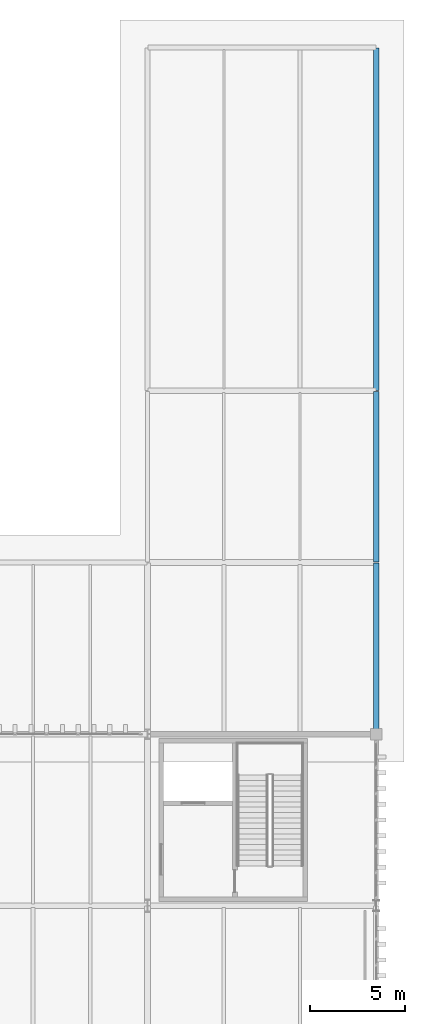
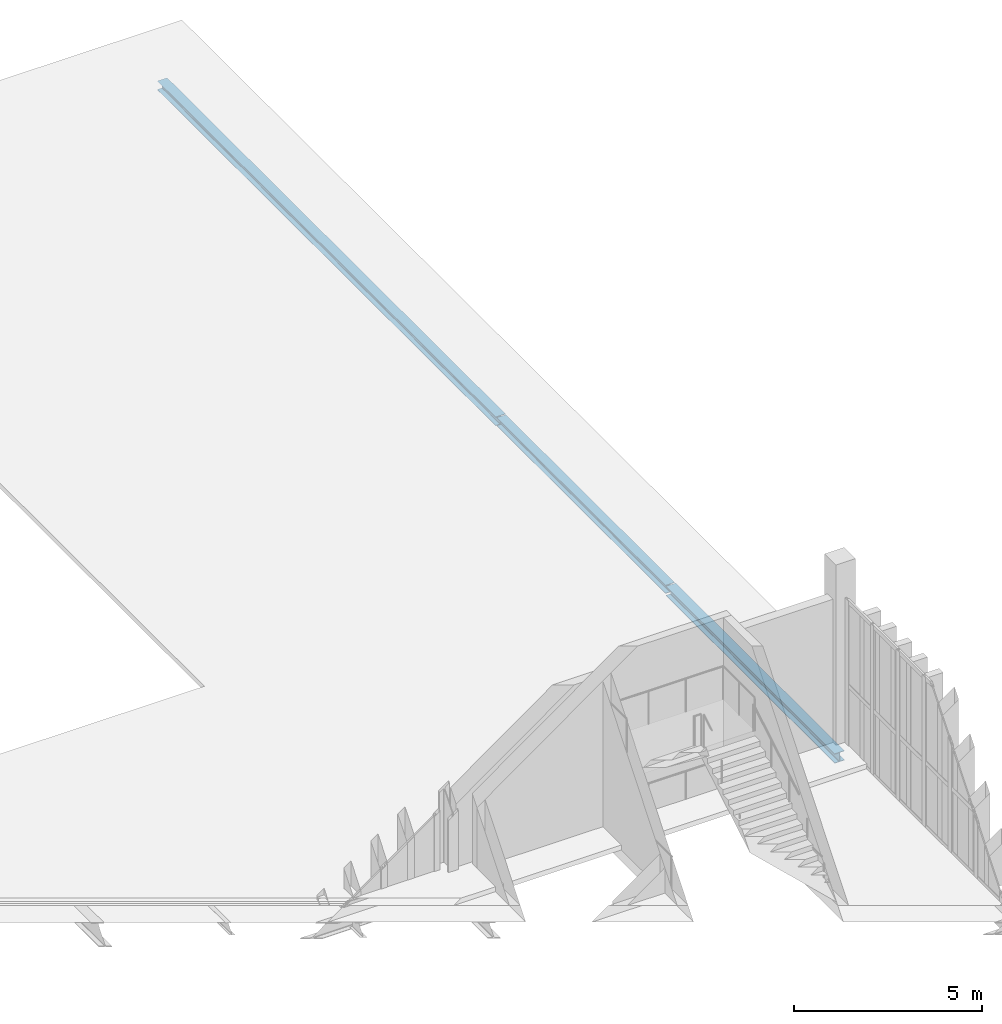
# One storey, part 165 of 237: 3 beams.
"""IFC4 building model written with IfcOpenShell, lengths in metres."""

from ifc_helpers import new_model, si_unit, direction, frame, origin, origin_2d, place, context, subcontext, project, spatial, i_section, extrude, material, material_profile, profile_set, type_object, element, save


model = new_model("IFC4")

# Units and contexts
model_context = context("Model", 3, precision=1e-05, world=origin(), true_north=direction((0.0, 1.0)))
body_context = subcontext(model_context, "Body", "Model", "MODEL_VIEW")
ifc_project = project(units=[si_unit("LENGTHUNIT", "METRE"), si_unit("AREAUNIT", "SQUARE_METRE"), si_unit("VOLUMEUNIT", "CUBIC_METRE"), si_unit("PLANEANGLEUNIT", "RADIAN"), si_unit("MASSUNIT", "GRAM", prefix="KILO")], contexts=[model_context])

# Site, building, storey
site_placement = place(None, origin())
site = spatial("IfcSite", under=ifc_project, at=site_placement, CompositionType="ELEMENT")
building_placement = place(site_placement, origin())
building = spatial("IfcBuilding", under=site, at=building_placement, Name="Barlavento Convention Centre", CompositionType="ELEMENT")
storey_placement = place(building_placement, frame((0.0, 0.0, 12.0)))
storey = spatial("IfcBuildingStorey", under=building, at=storey_placement, Name="L02", CompositionType="ELEMENT", Elevation=12.0)

# Beams
ifc_material = material(Name="Steel S355", Category="steel")
ifc_material_profile_1 = material_profile(ifc_material, i_section(OverallWidth=0.280029296875, OverallDepth=0.27001953125, WebThickness=0.008056640625, FlangeThickness=0.012939453125, FilletRadius=0.02392578125, at=origin_2d()), Name="HEA 280")
ifc_profile_set_1 = profile_set([ifc_material_profile_1], Name="Steel S355")
beam_type_1 = type_object("IfcBeamType", Name="STR-BM-SPN-HEA280", PredefinedType="SPANDREL", material=ifc_profile_set_1)
beam_1_placement = place(storey_placement, frame((192.0, 108.02001953125, -0.5), z_axis=(0.0, 1.0, 0.0), x_axis=(-1.0, 0.0, 0.0)))
element("IfcBeam", 1, at=beam_1_placement, inside=storey, type_object=beam_type_1, Name="L02 grid girder SP03", PredefinedType="SPANDREL", context=body_context, shape_type="SweptSolid", body=[
    extrude(i_section(OverallWidth=0.280029296875, OverallDepth=0.27001953125, WebThickness=0.008056640625, FlangeThickness=0.012939453125, FilletRadius=0.02392578125, at=origin_2d()), origin(), (0.0, 0.0, 1.0), 8.9599609375),
])
ifc_material_profile_2 = material_profile(ifc_material, i_section(OverallWidth=0.300048828125, OverallDepth=0.2900390625, WebThickness=0.008544921875, FlangeThickness=0.013916015625, FilletRadius=0.027099609375, at=origin_2d()), Name="HEA 300")
ifc_profile_set_2 = profile_set([ifc_material_profile_2], Name="Steel S355")
beam_type_2 = type_object("IfcBeamType", Name="STR-BM-SPN-HEA300", PredefinedType="SPANDREL", material=ifc_profile_set_2)
beam_2_placement = place(storey_placement, frame((192.0, 117.02001953125, -0.510009765625), z_axis=(0.0, 1.0, 0.0), x_axis=(-1.0, 0.0, 0.0)))
element("IfcBeam", 2, at=beam_2_placement, inside=storey, type_object=beam_type_2, Name="L02 grid girder SP02", PredefinedType="SPANDREL", context=body_context, shape_type="SweptSolid", body=[
    extrude(i_section(OverallWidth=0.300048828125, OverallDepth=0.2900390625, WebThickness=0.008544921875, FlangeThickness=0.013916015625, FilletRadius=0.027099609375, at=origin_2d()), origin(), (0.0, 0.0, 1.0), 17.9599609375),
])
ifc_material_profile_3 = material_profile(ifc_material, i_section(OverallWidth=0.300048828125, OverallDepth=0.31005859375, WebThickness=0.009033203125, FlangeThickness=0.015380859375, FilletRadius=0.027099609375, at=origin_2d()), Name="HEA 320")
ifc_profile_set_3 = profile_set([ifc_material_profile_3], Name="Steel S355")
beam_type_3 = type_object("IfcBeamType", Name="STR-BM-SPN-HEA320", PredefinedType="SPANDREL", material=ifc_profile_set_3)
beam_3_placement = place(storey_placement, frame((192.0, 99.02001953125, -0.52001953125), z_axis=(0.0, 1.0, 0.0), x_axis=(-1.0, 0.0, 0.0)))
element("IfcBeam", 3, at=beam_3_placement, inside=storey, type_object=beam_type_3, Name="L02 grid girder SP01", PredefinedType="SPANDREL", context=body_context, shape_type="SweptSolid", body=[
    extrude(i_section(OverallWidth=0.300048828125, OverallDepth=0.31005859375, WebThickness=0.009033203125, FlangeThickness=0.015380859375, FilletRadius=0.027099609375, at=origin_2d()), origin(), (0.0, 0.0, 1.0), 8.9599609375),
])

save(model, "model.ifc")
